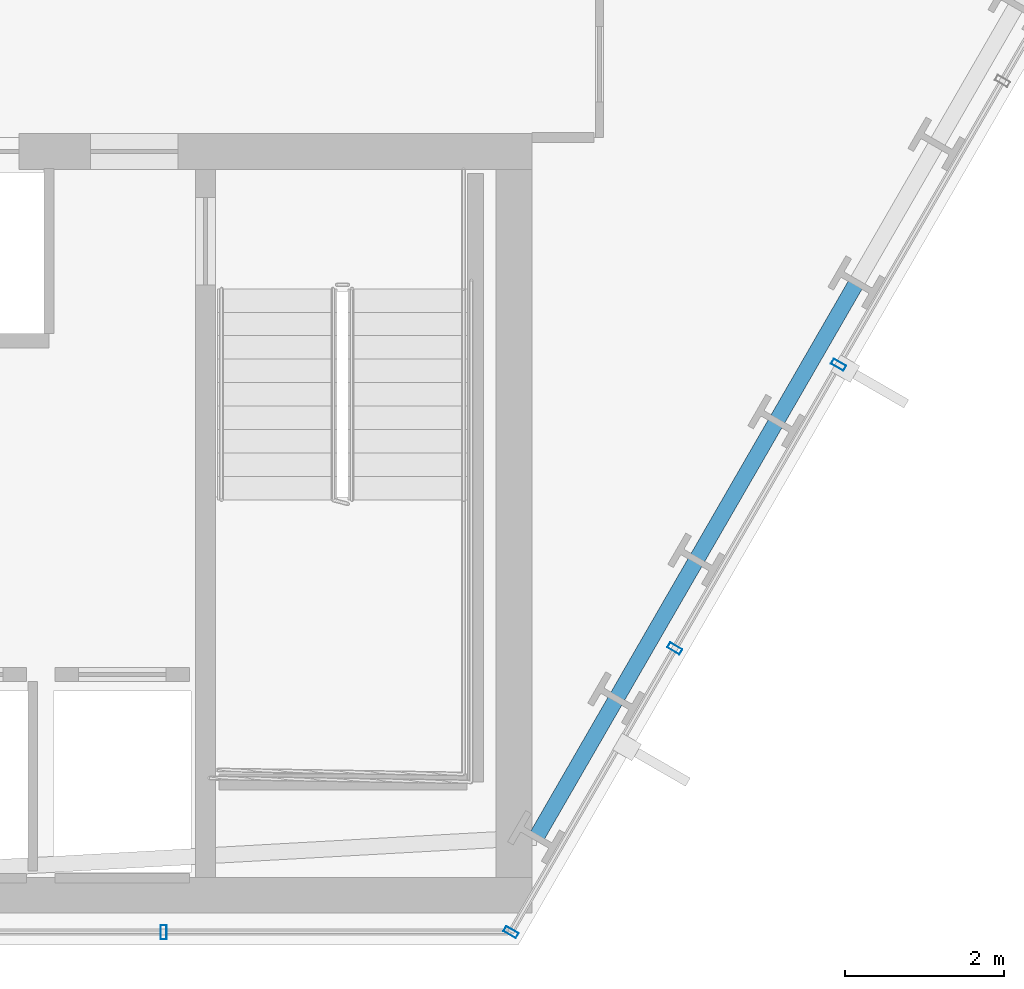
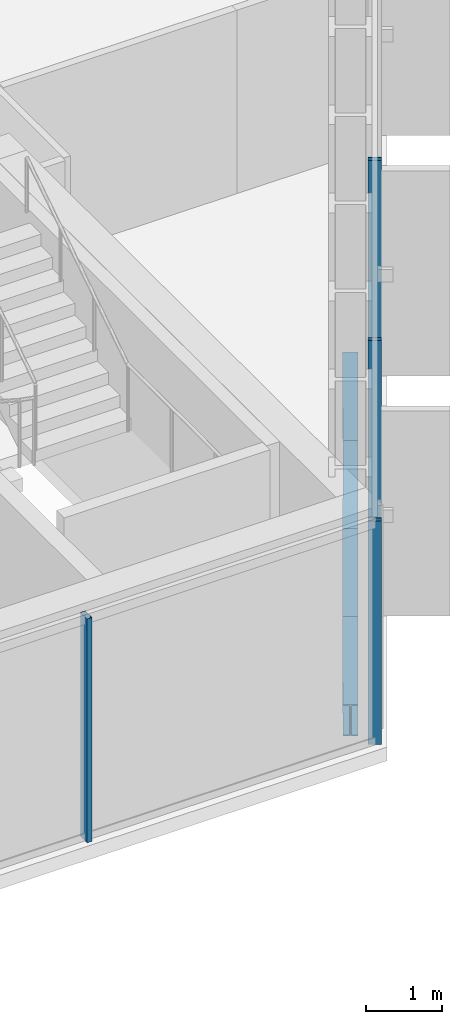
# One storey, part 14 of 33: 4 beams, 4 members, 2 elements without a shape of their own.
"""IFC4 building model written with IfcOpenShell, lengths in metres."""

import ifcopenshell
import ifcopenshell.guid

model = None  # the IFC model being written
_history = None  # IfcOwnerHistory: only IFC2X3 demands one
_inside = {}  # id of a spatial element -> (the spatial element, [elements in it])
_under = {}  # id of a project, library or spatial element -> (it, [spatial elements below it])
_declared = {}  # id of a project -> (the project, [libraries it declares])
_typed = {}  # id of a type object -> (the type object, [elements of that type])
_made_of = {}  # id of a material, layer set ... -> (it, [elements and type objects made of it])


def new_model(schema):
    """Start an empty IFC model of exactly this schema.

    Asked for "IFC4X3", IfcOpenShell would pick the latest addendum, in which some entities
    have other attributes; the version numbers below select the first issue.
    IFC2X3 requires an IfcOwnerHistory on every rooted entity: one is made here for all.
    """
    global model, _history
    if schema == "IFC4X3":
        model = ifcopenshell.file(schema_version=(4, 3, 0, 0))
    else:
        model = ifcopenshell.file(schema=schema)
    _inside.clear()
    _under.clear()
    _declared.clear()
    _typed.clear()
    _made_of.clear()
    _history = None
    if model.schema == "IFC2X3":
        org = make("IfcOrganization", Name="unknown")
        user = make(
            "IfcPersonAndOrganization",
            ThePerson=make("IfcPerson", FamilyName="unknown"),
            TheOrganization=org,
        )
        app = make(
            "IfcApplication",
            ApplicationDeveloper=org,
            Version="unknown",
            ApplicationFullName="unknown",
            ApplicationIdentifier="unknown",
        )
        _history = make(
            "IfcOwnerHistory",
            OwningUser=user,
            OwningApplication=app,
            ChangeAction="ADDED",
            CreationDate=0,
        )
    return model


def make(cls, **values):
    """One entity of the class cls with the attributes given. An attribute that is None is left unset."""
    return model.create_entity(
        cls, **{name: value for name, value in values.items() if value is not None}
    )


def rooted(cls, **values):
    """An entity with a GlobalId (a new one), such as an element, a storey or a relation."""
    return make(cls, GlobalId=ifcopenshell.guid.new(), OwnerHistory=_history, **values)


def si_unit(unit_type, name, prefix=None):
    """IfcSIUnit, for example si_unit("LENGTHUNIT", "METRE", prefix="MILLI")."""
    return make("IfcSIUnit", UnitType=unit_type, Prefix=prefix, Name=name)


def assignment(units):
    """IfcUnitAssignment: the units of a project."""
    return None if units is None else make("IfcUnitAssignment", Units=units)


def point(xyz):
    """IfcCartesianPoint."""
    return None if xyz is None else make("IfcCartesianPoint", Coordinates=xyz)


def direction(xyz):
    """IfcDirection."""
    return None if xyz is None else make("IfcDirection", DirectionRatios=xyz)


def frame(location, z_axis=None, x_axis=None):
    """IfcAxis2Placement3D, a coordinate frame: its origin and axes. An axis left out is left unset."""
    return make(
        "IfcAxis2Placement3D",
        Location=point(location),
        Axis=direction(z_axis),
        RefDirection=direction(x_axis),
    )


def frame_2d(location, x_axis=None):
    """IfcAxis2Placement2D, a coordinate frame in the plane: its origin and x axis."""
    return make(
        "IfcAxis2Placement2D", Location=point(location), RefDirection=direction(x_axis)
    )


def origin():
    """The frame at (0, 0, 0) with its axes left unset."""
    return frame((0.0, 0.0, 0.0))


def origin_2d():
    """The frame at (0, 0) in the plane with its x axis left unset."""
    return frame_2d((0.0, 0.0))


def place(relative_to, where):
    """IfcLocalPlacement: puts the frame where relative to a parent placement (None: the world)."""
    return make(
        "IfcLocalPlacement", PlacementRelTo=relative_to, RelativePlacement=where
    )


def context(
    kind, dimensions, precision=None, world=None, true_north=None, identifier=None
):
    """IfcGeometricRepresentationContext, for example the 3D "Model" context."""
    return make(
        "IfcGeometricRepresentationContext",
        ContextIdentifier=identifier,
        ContextType=kind,
        CoordinateSpaceDimension=dimensions,
        Precision=precision,
        WorldCoordinateSystem=world,
        TrueNorth=true_north,
    )


def subcontext(parent, identifier, kind, view, scale=None):
    """IfcGeometricRepresentationSubContext, for example "Body" below "Model"."""
    return make(
        "IfcGeometricRepresentationSubContext",
        ContextIdentifier=identifier,
        ContextType=kind,
        ParentContext=parent,
        TargetScale=scale,
        TargetView=view,
    )


def project(units=None, contexts=None):
    """IfcProject with its units and contexts."""
    return rooted(
        "IfcProject",
        Name="project",
        RepresentationContexts=contexts,
        UnitsInContext=assignment(units),
    )


def spatial(cls, under=None, at=None, **own):
    """A site, building, storey or space (cls), placed at a placement, below another one or the project."""
    s = rooted(cls, ObjectPlacement=at, **own)
    if under is not None:
        _under.setdefault(under.id(), (under, []))[1].append(s)
    return s


def profile(cls, at=None, kind="AREA", **sizes):
    """A parametric profile (cls). Its sizes go by their IFC names, for example OverallWidth=200.0."""
    return make(cls, ProfileType=kind, Position=at, **sizes)


def hollow_rectangle(**sizes):
    """IfcRectangleHollowProfileDef."""
    return profile("IfcRectangleHollowProfileDef", **sizes)


def i_section(**sizes):
    """IfcIShapeProfileDef."""
    return profile("IfcIShapeProfileDef", **sizes)


def extrude(swept, where, along, depth):
    """IfcExtrudedAreaSolid: the profile swept, set in the frame where, extruded along a direction by depth."""
    return make(
        "IfcExtrudedAreaSolid",
        SweptArea=swept,
        Position=where,
        ExtrudedDirection=direction(along),
        Depth=depth,
    )


def shape(context_of_items, identifier, shape_type, items):
    """IfcShapeRepresentation: the items that make up one representation, for example the "Body"."""
    return make(
        "IfcShapeRepresentation",
        ContextOfItems=context_of_items,
        RepresentationIdentifier=identifier,
        RepresentationType=shape_type,
        Items=items,
    )


def material(Name=None, Category=None):
    """IfcMaterial."""
    return make("IfcMaterial", Name=Name, Category=Category)


def layer(
    of_material, thickness, ventilated=None, Name=None, Category=None, Priority=None
):
    """IfcMaterialLayer: one layer of a wall or slab, of a material (None: an air gap)."""
    return make(
        "IfcMaterialLayer",
        Material=of_material,
        LayerThickness=thickness,
        IsVentilated=ventilated,
        Name=Name,
        Category=Category,
        Priority=Priority,
    )


def layer_set(layers, Name=None):
    """IfcMaterialLayerSet."""
    return make("IfcMaterialLayerSet", MaterialLayers=layers, LayerSetName=Name)


def material_profile(
    of_material, cross_section, Name=None, Category=None, Priority=None
):
    """IfcMaterialProfile: a cross section and its material."""
    return make(
        "IfcMaterialProfile",
        Name=Name,
        Material=of_material,
        Profile=cross_section,
        Priority=Priority,
        Category=Category,
    )


def profile_set(profiles, Name=None, composite=None):
    """IfcMaterialProfileSet."""
    return make(
        "IfcMaterialProfileSet",
        Name=Name,
        MaterialProfiles=profiles,
        CompositeProfile=composite,
    )


def made_of(thing, what):
    """Note that an element or type object is made of a material, layer set ...; save() writes the relation."""
    if what is not None:
        _made_of.setdefault(what.id(), (what, []))[1].append(thing)
    return thing


def type_object(cls, material=None, **own):
    """A type object (cls), such as IfcWallType, which elements share."""
    return made_of(rooted(cls, **own), material)


def element(
    cls,
    number,
    at=None,
    inside=None,
    cuts=None,
    type_object=None,
    material=None,
    context=None,
    identifier="Body",
    shape_type=None,
    held_by="IfcProductDefinitionShape",
    body=None,
    shapes=None,
    **own,
):
    """One element of the class cls, such as IfcWall. Its Tag is "e" and its number.

    at: its placement. inside: the storey or other place that contains it. cuts: it is an
    opening in that element (IfcRelVoidsElement). A single representation is given by context,
    identifier, shape_type and body (its items); several are given by shapes. held_by: the class
    of the entity that holds the representations. save() writes the other relations.
    """
    e = rooted(cls, Tag="e%d" % number, ObjectPlacement=at, **own)
    if body is not None:
        shapes = [shape(context, identifier, shape_type, body)]
    if shapes is not None:
        e.Representation = make(held_by, Representations=shapes)
    if inside is not None:
        _inside.setdefault(inside.id(), (inside, []))[1].append(e)
    if cuts is not None:
        rooted(
            "IfcRelVoidsElement", RelatingBuildingElement=cuts, RelatedOpeningElement=e
        )
    if type_object is not None:
        _typed.setdefault(type_object.id(), (type_object, []))[1].append(e)
    return made_of(e, material)


def aggregate(whole, parts):
    """IfcRelAggregates: a whole, such as a stair, and the parts it consists of."""
    return rooted("IfcRelAggregates", RelatingObject=whole, RelatedObjects=parts)


def save(model, path):
    """Write the relations noted so far, then the file.

    IfcRelAggregates (storeys below a building ...), IfcRelContainedInSpatialStructure (elements
    in a storey), IfcRelDefinesByType, IfcRelAssociatesMaterial and IfcRelDeclares: one each for
    every whole, place, type object, material and project.
    """
    for whole, parts in _under.values():
        aggregate(whole, parts)
    for where, things in _inside.values():
        rooted(
            "IfcRelContainedInSpatialStructure",
            RelatedElements=things,
            RelatingStructure=where,
        )
    for kind, things in _typed.values():
        rooted("IfcRelDefinesByType", RelatedObjects=things, RelatingType=kind)
    for what, things in _made_of.values():
        rooted("IfcRelAssociatesMaterial", RelatedObjects=things, RelatingMaterial=what)
    for by, libraries in _declared.values():
        rooted("IfcRelDeclares", RelatingContext=by, RelatedDefinitions=libraries)
    model.write(path)


model = new_model("IFC4")

# Units and contexts
model_context = context("Model", 3, precision=1e-05, world=origin(), true_north=direction((0.0, 1.0)))
body_context = subcontext(model_context, "Body", "Model", "MODEL_VIEW")
ifc_project = project(units=[si_unit("LENGTHUNIT", "METRE"), si_unit("AREAUNIT", "SQUARE_METRE"), si_unit("VOLUMEUNIT", "CUBIC_METRE"), si_unit("PLANEANGLEUNIT", "RADIAN"), si_unit("MASSUNIT", "GRAM", prefix="KILO")], contexts=[model_context])

# Site, building, storey
site_placement = place(None, origin())
site = spatial("IfcSite", under=ifc_project, at=site_placement, CompositionType="ELEMENT")
building_placement = place(site_placement, origin())
building = spatial("IfcBuilding", under=site, at=building_placement, Name="Ndaravel Arena Tower", CompositionType="ELEMENT")
storey_placement = place(building_placement, frame((0.0, 0.0, 36.0)))
storey = spatial("IfcBuildingStorey", under=building, at=storey_placement, Name="L06", CompositionType="ELEMENT", Elevation=36.0)

# Beams
ifc_material_1 = material(Name="Steel S355", Category="steel")
ifc_material_profile_1 = material_profile(ifc_material_1, i_section(OverallWidth=0.199951171875, OverallDepth=0.5, WebThickness=0.01025390625, FlangeThickness=0.01611328125, FilletRadius=0.02099609375, at=origin_2d()), Name="IPE 500")
ifc_profile_set_1 = profile_set([ifc_material_profile_1], Name="Steel S355")
beam_type = type_object("IfcBeamType", Name="BM-SPAN-IPE500", PredefinedType="SPANDREL", material=ifc_profile_set_1)
beam_1_placement = place(storey_placement, frame((57.60693359375, 6.351806640625, -0.469970703125), z_axis=(0.499907881037, 0.86607858216, 0.0), x_axis=(-0.86607858216, 0.499907881037, 0.0)))
element("IfcBeam", 1, at=beam_1_placement, inside=storey, type_object=beam_type, Name="L06 Perimeter Spandrel Beam SP-02", PredefinedType="SPANDREL", context=body_context, shape_type="SweptSolid", body=[
    extrude(i_section(OverallWidth=0.199951171875, OverallDepth=0.5, WebThickness=0.01025390625, FlangeThickness=0.01611328125, FilletRadius=0.02099609375, at=origin_2d()), origin(), (0.0, 0.0, 1.0), 2.013671875),
])
for number, where, z_axis, x_axis, name in (
    (2, (58.613525390625, 8.095703125, -0.469970703125), (0.500051323872, 0.865995769906, 0.0), (-0.865995769906, 0.500051323872, 0.0), "L06 Perimeter Spandrel Beam SP-03"),
    (3, (59.620361328125, 9.83935546875, -0.469970703125), (0.500051323872, 0.865995769906, 0.0), (-0.865995769906, 0.500051323872, 0.0), "L06 Perimeter Spandrel Beam SP-04"),
):
    element("IfcBeam", number, at=place(storey_placement, frame(where, z_axis=z_axis, x_axis=x_axis)), inside=storey, type_object=beam_type, Name=name, PredefinedType="SPANDREL", context=body_context, shape_type="SweptSolid", body=[
        extrude(i_section(OverallWidth=0.199951171875, OverallDepth=0.5, WebThickness=0.01025390625, FlangeThickness=0.01611328125, FilletRadius=0.02099609375, at=origin_2d()), origin(), (0.0, 0.0, 1.0), 2.013427734375),
    ])
beam_2_placement = place(storey_placement, frame((60.627197265625, 11.5830078125, -0.469970703125), z_axis=(0.499907881037, 0.86607858216, 0.0), x_axis=(-0.86607858216, 0.499907881037, 0.0)))
element("IfcBeam", 4, at=beam_2_placement, inside=storey, type_object=beam_type, Name="L06 Perimeter Spandrel Beam SP-05", PredefinedType="SPANDREL", context=body_context, shape_type="SweptSolid", body=[
    extrude(i_section(OverallWidth=0.199951171875, OverallDepth=0.5, WebThickness=0.01025390625, FlangeThickness=0.01611328125, FilletRadius=0.02099609375, at=origin_2d()), origin(), (0.0, 0.0, 1.0), 2.013671875),
])

# Curtain wall, member
ifc_material_2 = material(Name="Aluminium", Category="aluminium")
ifc_layer_1 = layer(ifc_material_2, 0.179931640625)
ifc_layer_set_1 = layer_set([ifc_layer_1], Name="Aluminium")
curtain_wall_type_1 = type_object("IfcCurtainWallType", Name="CW-SYS-03", PredefinedType="NOTDEFINED", material=ifc_layer_set_1)
curtain_wall_1_placement = place(storey_placement, origin())
curtain_wall_1 = element("IfcCurtainWall", 5, at=curtain_wall_1_placement, inside=storey, type_object=curtain_wall_type_1, Name="L06 Faceted Crystal Curtain Wall CW-L06-E01", PredefinedType="NOTDEFINED")
ifc_material_3 = material(Name="Aluminium", Category="aluminium")
ifc_material_profile_2 = material_profile(ifc_material_3, hollow_rectangle(XDim=0.074951171875, YDim=0.179931640625, WallThickness=0.00390625, at=origin_2d()), Name="CW MULLION 75x180x4")
ifc_profile_set_2 = profile_set([ifc_material_profile_2], Name="Aluminium")
member_type = type_object("IfcMemberType", Name="MEM-CW-MUL180", PredefinedType="MULLION", material=ifc_profile_set_2)
member_1_placement = place(storey_placement, frame((52.920166015625, 5.159912109375, 0.0), z_axis=(0.0, 0.0, 1.0), x_axis=(1.0, 0.0, 0.0)))
member_1 = element("IfcMember", 6, at=member_1_placement, type_object=member_type, Name="CW-L06-E01 Mullion 06", PredefinedType="MULLION", context=body_context, shape_type="SweptSolid", body=[
    extrude(hollow_rectangle(XDim=0.074951171875, YDim=0.179931640625, WallThickness=0.00390625, at=origin_2d()), origin(), (0.0, 0.0, 1.0), 3.580078125),
])
aggregate(curtain_wall_1, [member_1])

# Curtain wall, members
ifc_material_4 = material(Name="Aluminium", Category="aluminium")
ifc_layer_2 = layer(ifc_material_4, 0.179931640625)
ifc_layer_set_2 = layer_set([ifc_layer_2], Name="Aluminium")
curtain_wall_type_2 = type_object("IfcCurtainWallType", Name="CW-SYS-01", PredefinedType="NOTDEFINED", material=ifc_layer_set_2)
curtain_wall_2_placement = place(storey_placement, origin())
curtain_wall_2 = element("IfcCurtainWall", 7, at=curtain_wall_2_placement, inside=storey, type_object=curtain_wall_type_2, Name="L06 Faceted Crystal Curtain Wall CW-L06-E02", PredefinedType="NOTDEFINED")
member_2_placement = place(storey_placement, frame((57.2880859375, 5.159912109375, 0.0), z_axis=(0.0, 0.0, 1.0), x_axis=(0.5, 0.866025403784, 0.0)))
member_2 = element("IfcMember", 8, at=member_2_placement, type_object=member_type, Name="CW-L06-E02 Mullion 00", PredefinedType="MULLION", context=body_context, shape_type="SweptSolid", body=[
    extrude(hollow_rectangle(XDim=0.074951171875, YDim=0.179931640625, WallThickness=0.00390625, at=origin_2d()), origin(), (0.0, 0.0, 1.0), 3.580078125),
])
member_3_placement = place(storey_placement, frame((59.347900390625, 8.7275390625, 0.0), z_axis=(0.0, 0.0, 1.0), x_axis=(0.5, 0.866025403784, 0.0)))
member_3 = element("IfcMember", 9, at=member_3_placement, type_object=member_type, Name="CW-L06-E02 Mullion 01", PredefinedType="MULLION", context=body_context, shape_type="SweptSolid", body=[
    extrude(hollow_rectangle(XDim=0.074951171875, YDim=0.179931640625, WallThickness=0.00390625, at=origin_2d()), origin(), (0.0, 0.0, 1.0), 3.580078125),
])
member_4_placement = place(storey_placement, frame((61.40771484375, 12.294921875, 0.0), z_axis=(0.0, 0.0, 1.0), x_axis=(0.5, 0.866025403784, 0.0)))
member_4 = element("IfcMember", 10, at=member_4_placement, type_object=member_type, Name="CW-L06-E02 Mullion 02", PredefinedType="MULLION", context=body_context, shape_type="SweptSolid", body=[
    extrude(hollow_rectangle(XDim=0.074951171875, YDim=0.179931640625, WallThickness=0.00390625, at=origin_2d()), origin(), (0.0, 0.0, 1.0), 3.580078125),
])
aggregate(curtain_wall_2, [member_2, member_3, member_4])

save(model, "model.ifc")
